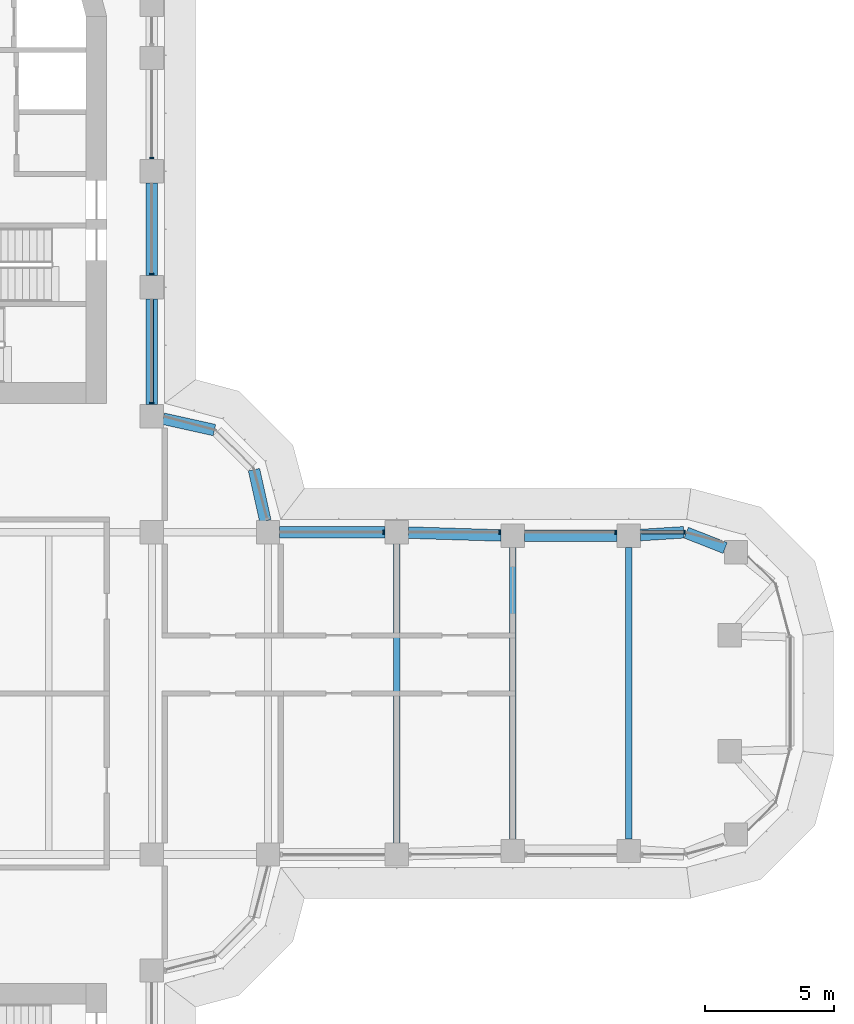
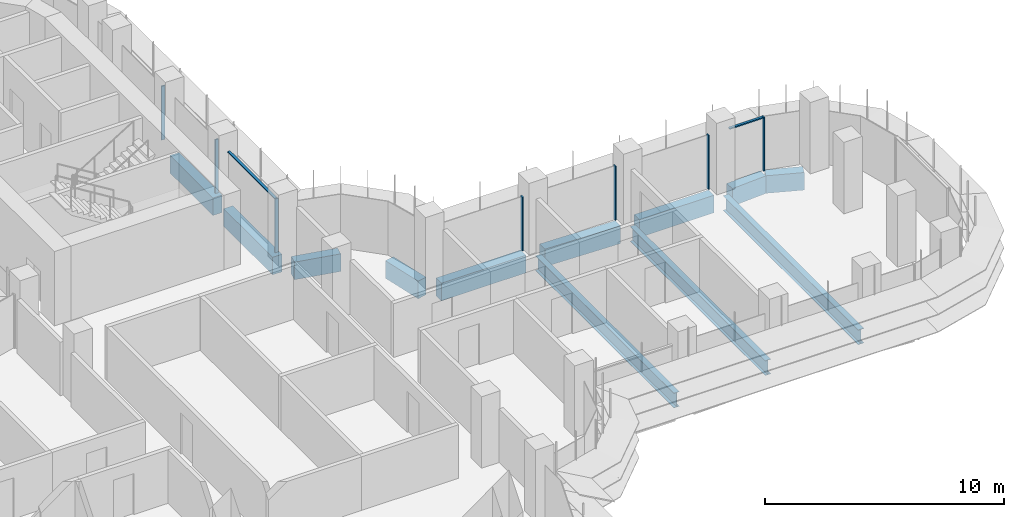
# One storey, part 8 of 22: 12 beams, 9 members, 2 elements without a shape of their own.
"""IFC4 building model written with IfcOpenShell, lengths in metres."""

from ifc_helpers import new_model, si_unit, direction, frame, origin, origin_2d, place, context, subcontext, project, spatial, polyline, rectangle, i_section, outline, extrude, source, transform, mapped, material, material_profile, profile_set, type_object, element, aggregate, save


model = new_model("IFC4")

# Units and contexts
model_context = context("Model", 3, precision=1e-05, world=origin(), true_north=direction((0.0, 1.0)))
body_context = subcontext(model_context, "Body", "Model", "MODEL_VIEW")
ifc_project = project(units=[si_unit("LENGTHUNIT", "METRE"), si_unit("AREAUNIT", "SQUARE_METRE"), si_unit("VOLUMEUNIT", "CUBIC_METRE"), si_unit("PLANEANGLEUNIT", "RADIAN"), si_unit("MASSUNIT", "GRAM", prefix="KILO")], contexts=[model_context])

# Site, building, storey
site_placement = place(None, origin())
site = spatial("IfcSite", under=ifc_project, at=site_placement, CompositionType="ELEMENT")
building_placement = place(site_placement, origin())
building = spatial("IfcBuilding", under=site, at=building_placement, Name="Zarbagh Exchange Tower", CompositionType="ELEMENT")
storey_placement = place(building_placement, frame((0.0, 0.0, 132.199951171875)))
storey = spatial("IfcBuildingStorey", under=building, at=storey_placement, Name="L31", CompositionType="ELEMENT", Elevation=132.199951171875)

# Beams
ifc_material_1 = material(Name="Steel ASTM A992 Gr 50", Category="steel")
ifc_material_profile_1 = material_profile(ifc_material_1, i_section(OverallWidth=0.2666015625, OverallDepth=0.7568359375, WebThickness=0.013916015625, FlangeThickness=0.019287109375, at=origin_2d()), Name="W30X108")
ifc_profile_set_1 = profile_set([ifc_material_profile_1], Name="Steel ASTM A992 Gr 50")
beam_type_1 = type_object("IfcBeamType", Name="Floor beam W30X108", PredefinedType="BEAM", material=ifc_profile_set_1)
beam_1_placement = place(storey_placement, frame((15.75, -5.800048828125, -0.5283203125), z_axis=(0.0, 1.0, 0.0), x_axis=(-1.0, 0.0, 0.0)))
element("IfcBeam", 1, at=beam_1_placement, inside=storey, type_object=beam_type_1, Name="Steel floor beam", PredefinedType="BEAM", context=body_context, shape_type="SweptSolid", body=[
    extrude(i_section(OverallWidth=0.2666015625, OverallDepth=0.7568359375, WebThickness=0.013916015625, FlangeThickness=0.019287109375, at=origin_2d()), origin(), (0.0, 0.0, 1.0), 11.60009765625),
])
for number, where, z_axis, x_axis, name in (
    (2, (20.25, -5.659912109375, -0.5283203125), (0.0, 1.0, 0.0), (-1.0, 0.0, 0.0), "Steel floor beam"),
    (3, (24.75, -5.659912109375, -0.5283203125), (0.0, 1.0, 0.0), (-1.0, 0.0, 0.0), "Steel floor beam"),
):
    element("IfcBeam", number, at=place(storey_placement, frame(where, z_axis=z_axis, x_axis=x_axis)), inside=storey, type_object=beam_type_1, Name=name, PredefinedType="BEAM", context=body_context, shape_type="SweptSolid", body=[
        extrude(i_section(OverallWidth=0.2666015625, OverallDepth=0.7568359375, WebThickness=0.013916015625, FlangeThickness=0.019287109375, at=origin_2d()), origin(), (0.0, 0.0, 1.0), 11.31982421875),
    ])
ifc_material_2 = material(Name="Concrete C60/75", Category="concrete")
ifc_material_profile_2 = material_profile(ifc_material_2, rectangle(XDim=0.449951171875, YDim=0.89990234375, at=origin_2d()), Name="RC spandrel beam 450 x 900 C60/75")
ifc_profile_set_2 = profile_set([ifc_material_profile_2], Name="Concrete C60/75")
beam_type_2 = type_object("IfcBeamType", Name="RC spandrel beam 450 x 900 C60/75", PredefinedType="SPANDREL", material=ifc_profile_set_2)
beam_2_placement = place(storey_placement, frame((6.25, 19.800048828125, -0.599853515625), z_axis=(0.0, -1.0, 0.0), x_axis=(1.0, 0.0, 0.0)))
element("IfcBeam", 4, at=beam_2_placement, inside=storey, type_object=beam_type_2, Name="RC spandrel beam", PredefinedType="SPANDREL", context=body_context, shape_type="SweptSolid", body=[
    extrude(rectangle(XDim=0.449951171875, YDim=0.89990234375, at=origin_2d()), origin(), (0.0, 0.0, 1.0), 3.60009765625),
])
beam_3_placement = place(storey_placement, frame((6.25, 15.300048828125, -0.599853515625), z_axis=(0.0, -1.0, 0.0), x_axis=(1.0, 0.0, 0.0)))
element("IfcBeam", 5, at=beam_3_placement, inside=storey, type_object=beam_type_2, Name="RC spandrel beam", PredefinedType="SPANDREL", context=body_context, shape_type="SweptSolid", body=[
    extrude(rectangle(XDim=0.449951171875, YDim=0.89990234375, at=origin_2d()), origin(), (0.0, 0.0, 1.0), 4.10009765625),
])
for number, where, z_axis, x_axis, name in (
    (6, (6.689453125, 10.65283203125, -0.599853515625), (0.976367325525, -0.216117666208, 0.0), (0.216117666208, 0.976367325525, 0.0), "RC spandrel beam"),
    (7, (10.212890625, 8.677001953125, -0.599853515625), (0.216117666208, -0.976367325525, 0.0), (0.976367325525, 0.216117666208, 0.0), "RC spandrel beam"),
):
    element("IfcBeam", number, at=place(storey_placement, frame(where, z_axis=z_axis, x_axis=x_axis)), inside=storey, type_object=beam_type_2, Name=name, PredefinedType="SPANDREL", context=body_context, shape_type="SweptSolid", body=[
        extrude(rectangle(XDim=0.449951171875, YDim=0.89990234375, at=origin_2d()), origin(), (0.0, 0.0, 1.0), 2.03564453125),
    ])
beam_4_placement = place(storey_placement, frame((11.199951171875, 6.25, -0.599853515625), z_axis=(1.0, 0.0, 0.0), x_axis=(0.0, 1.0, 0.0)))
element("IfcBeam", 8, at=beam_4_placement, inside=storey, type_object=beam_type_2, Name="RC spandrel beam", PredefinedType="SPANDREL", context=body_context, shape_type="SweptSolid", body=[
    extrude(rectangle(XDim=0.449951171875, YDim=0.89990234375, at=origin_2d()), origin(), (0.0, 0.0, 1.0), 4.10009765625),
])
beam_5_placement = place(storey_placement, frame((16.19970703125, 6.236083984375, -0.599853515625), z_axis=(0.999516035224, -0.031107801747, 0.0), x_axis=(0.031107801747, 0.999516035224, 0.0)))
element("IfcBeam", 9, at=beam_5_placement, inside=storey, type_object=beam_type_2, Name="RC spandrel beam", PredefinedType="SPANDREL", context=body_context, shape_type="SweptSolid", body=[
    extrude(rectangle(XDim=0.449951171875, YDim=0.89990234375, at=origin_2d()), origin(), (0.0, 0.0, 1.0), 3.602294921875),
])
beam_6_placement = place(storey_placement, frame((20.699951171875, 6.110107421875, -0.599853515625), z_axis=(1.0, 0.0, 0.0), x_axis=(0.0, 1.0, 0.0)))
element("IfcBeam", 10, at=beam_6_placement, inside=storey, type_object=beam_type_2, Name="RC spandrel beam", PredefinedType="SPANDREL", context=body_context, shape_type="SweptSolid", body=[
    extrude(rectangle(XDim=0.449951171875, YDim=0.89990234375, at=origin_2d()), origin(), (0.0, 0.0, 1.0), 3.60009765625),
])
beam_7_placement = place(storey_placement, frame((25.19921875, 6.138916015625, -0.599853515625), z_axis=(0.997955762545, 0.063908497109, 0.0), x_axis=(-0.063908497109, 0.997955762545, 0.0)))
element("IfcBeam", 11, at=beam_7_placement, inside=storey, type_object=beam_type_2, Name="RC spandrel beam", PredefinedType="SPANDREL", context=body_context, shape_type="SweptSolid", body=[
    extrude(rectangle(XDim=0.449951171875, YDim=0.89990234375, at=origin_2d()), origin(), (0.0, 0.0, 1.0), 1.6884765625),
])
beam_8_placement = place(storey_placement, frame((26.980712890625, 6.231689453125, -0.599853515625), z_axis=(0.930806421439, -0.365512524832, 0.0), x_axis=(0.365512524832, 0.930806421439, 0.0)))
element("IfcBeam", 12, at=beam_8_placement, inside=storey, type_object=beam_type_2, Name="RC spandrel beam", PredefinedType="SPANDREL", context=body_context, shape_type="SweptSolid", body=[
    extrude(rectangle(XDim=0.449951171875, YDim=0.89990234375, at=origin_2d()), origin(), (0.0, 0.0, 1.0), 1.620361328125),
])

# Curtain wall, members
ifc_material_3 = material(Name="Anodised aluminium frame and glazing", Category="aluminium")
curtain_wall_type = type_object("IfcCurtainWallType", Name="CWA Ribbon glazing, lower zones", PredefinedType="NOTDEFINED", material=ifc_material_3)
curtain_wall_1_placement = place(storey_placement, origin())
curtain_wall_1 = element("IfcCurtainWall", 13, at=curtain_wall_1_placement, inside=storey, type_object=curtain_wall_type, Name="CWA65 curtain wall", PredefinedType="NOTDEFINED")
ifc_material_4 = material(Name="Anodised aluminium frame", Category="aluminium")
member_type_1 = type_object("IfcMemberType", Name="MUA Mullion, anodised aluminium frame", PredefinedType="MULLION", material=ifc_material_4)
shared_shape_1 = source(origin(), body_context, "Body", "SweptSolid", [
    extrude(outline(polyline([(0.0, -0.080078125), (0.06005859375, -0.080078125), (0.06005859375, 0.080078125), (0.0, 0.080078125), (0.0, -0.080078125)])), origin(), (0.0, 0.0, 1.0), 2.75),
])
placement = place(storey_placement, origin())
member_1 = element("IfcMember", 14, at=placement, type_object=member_type_1, Name="CWA65 mullion 1.1", PredefinedType="MULLION", context=body_context, shape_type="MappedRepresentation", body=[
    mapped(shared_shape_1, transform((26.93408203125, 6.25, 0.0), x_axis=(-1.0, 0.0, 0.0), y_axis=(0.0, -1.0, 0.0), z_axis=(0.0, 0.0, 1.0))),
])
member_2 = element("IfcMember", 15, at=placement, type_object=member_type_1, Name="CWA65 mullion 2.1", PredefinedType="MULLION", context=body_context, shape_type="MappedRepresentation", body=[
    mapped(shared_shape_1, transform((24.260009765625, 6.25, 0.0), x_axis=(-1.0, 0.0, 0.0), y_axis=(0.0, -1.0, 0.0), z_axis=(0.0, 0.0, 1.0))),
])
member_3 = element("IfcMember", 16, at=placement, type_object=member_type_1, Name="CWA65 mullion 3.1", PredefinedType="MULLION", context=body_context, shape_type="MappedRepresentation", body=[
    mapped(shared_shape_1, transform((19.760009765625, 6.25, 0.0), x_axis=(-1.0, 0.0, 0.0), y_axis=(0.0, -1.0, 0.0), z_axis=(0.0, 0.0, 1.0))),
])
member_4 = element("IfcMember", 17, at=placement, type_object=member_type_1, Name="CWA65 mullion 4.1", PredefinedType="MULLION", context=body_context, shape_type="MappedRepresentation", body=[
    mapped(shared_shape_1, transform((15.260009765625, 6.25, 0.0), x_axis=(-1.0, 0.0, 0.0), y_axis=(0.0, -1.0, 0.0), z_axis=(0.0, 0.0, 1.0))),
])

curtain_wall_2_placement = place(storey_placement, origin())
curtain_wall_2 = element("IfcCurtainWall", 18, at=curtain_wall_2_placement, inside=storey, type_object=curtain_wall_type, Name="CWA49 curtain wall", PredefinedType="NOTDEFINED")
member_5 = element("IfcMember", 19, at=placement, type_object=member_type_1, Name="CWA49 mullion 1.1", PredefinedType="MULLION", context=body_context, shape_type="MappedRepresentation", body=[
    mapped(shared_shape_1, transform((6.25, 11.239990234375, 0.0), x_axis=(0.0, 1.0, 0.0), y_axis=(-1.0, 0.0, 0.0), z_axis=(0.0, 0.0, 1.0))),
])
member_6 = element("IfcMember", 20, at=placement, type_object=member_type_1, Name="CWA49 mullion 2.1", PredefinedType="MULLION", context=body_context, shape_type="MappedRepresentation", body=[
    mapped(shared_shape_1, transform((6.25, 16.239990234375, 0.0), x_axis=(0.0, 1.0, 0.0), y_axis=(-1.0, 0.0, 0.0), z_axis=(0.0, 0.0, 1.0))),
])
member_7 = element("IfcMember", 21, at=placement, type_object=member_type_1, Name="CWA49 mullion 3.1", PredefinedType="MULLION", context=body_context, shape_type="MappedRepresentation", body=[
    mapped(shared_shape_1, transform((6.25, 20.739990234375, 0.0), x_axis=(0.0, 1.0, 0.0), y_axis=(-1.0, 0.0, 0.0), z_axis=(0.0, 0.0, 1.0))),
])
member_type_2 = type_object("IfcMemberType", Name="TRA Transom, anodised aluminium frame", PredefinedType="USERDEFINED", material=ifc_material_4)
shared_shape_2 = source(origin(), body_context, "Body", "SweptSolid", [
    extrude(outline(polyline([(-0.06005859375, -0.06005859375), (0.0, -0.06005859375), (0.0, 0.06005859375), (-0.06005859375, 0.06005859375), (-0.06005859375, -0.06005859375)])), origin(), (0.0, 0.0, 1.0), 3.9599609375),
])
member_8 = element("IfcMember", 22, at=placement, type_object=member_type_2, Name="CWA49 transom 1.1", ObjectType="TRANSOM", PredefinedType="USERDEFINED", context=body_context, shape_type="MappedRepresentation", body=[
    mapped(shared_shape_2, transform((6.25, 11.300048828125, 2.75), x_axis=(0.0, 0.0, 1.0), y_axis=(1.0, 0.0, 0.0), z_axis=(0.0, 1.0, 0.0))),
])
aggregate(curtain_wall_2, [member_5, member_8, member_6, member_7])

# Member
shared_shape_3 = source(origin(), body_context, "Body", "SweptSolid", [
    extrude(outline(polyline([(-0.06005859375, -0.06005859375), (0.0, -0.06005859375), (0.0, 0.06005859375), (-0.06005859375, 0.06005859375), (-0.06005859375, -0.06005859375)])), origin(), (0.0, 0.0, 1.0), 1.63427734375),
])
member_9 = element("IfcMember", 23, at=placement, type_object=member_type_2, Name="CWA65 transom 1.1", ObjectType="TRANSOM", PredefinedType="USERDEFINED", context=body_context, shape_type="MappedRepresentation", body=[
    mapped(shared_shape_3, transform((26.874267578125, 6.25, 2.75), x_axis=(0.0, 0.0, 1.0), y_axis=(0.0, 1.0, 0.0), z_axis=(-1.0, 0.0, 0.0))),
])

aggregate(curtain_wall_1, [member_1, member_9, member_2, member_3, member_4])

save(model, "model.ifc")
